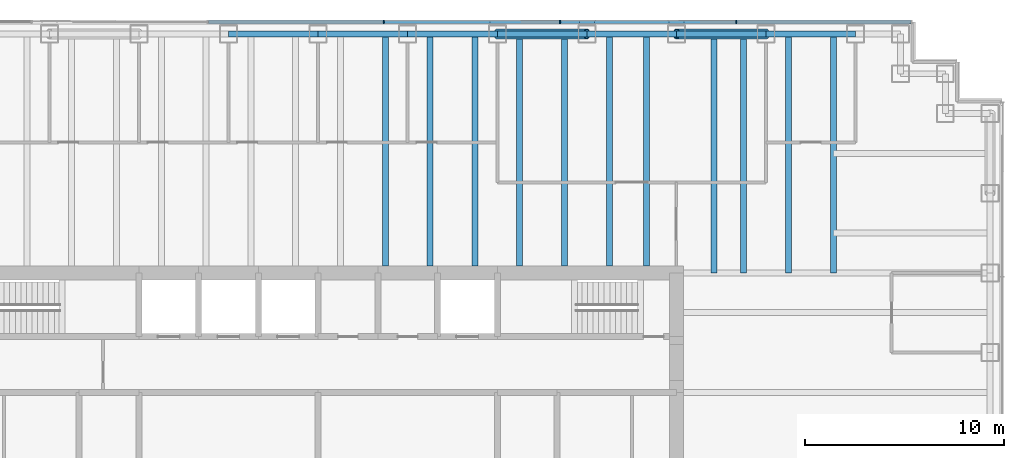
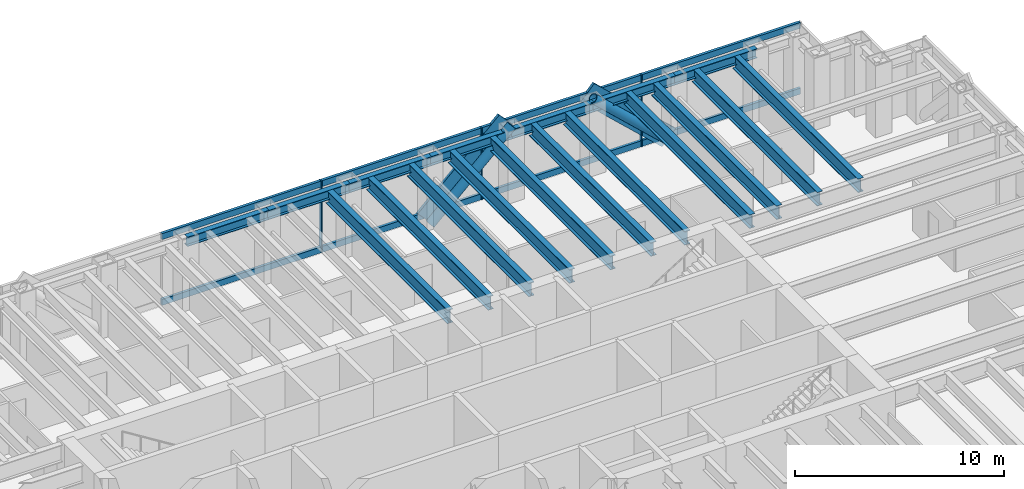
# One storey, part 7 of 15: 18 beams, 15 members, 1 element without a shape of its own.
"""IFC4 building model written with IfcOpenShell, lengths in metres."""

from ifc_helpers import new_model, si_unit, direction, frame, origin, origin_2d, place, context, subcontext, project, spatial, rectangle, hollow_circle, i_section, extrude, material, material_profile, profile_set, type_object, element, aggregate, save


model = new_model("IFC4")

# Units and contexts
model_context = context("Model", 3, precision=1e-05, world=origin(), true_north=direction((0.0, 1.0)))
body_context = subcontext(model_context, "Body", "Model", "MODEL_VIEW")
ifc_project = project(units=[si_unit("LENGTHUNIT", "METRE"), si_unit("AREAUNIT", "SQUARE_METRE"), si_unit("VOLUMEUNIT", "CUBIC_METRE"), si_unit("PLANEANGLEUNIT", "RADIAN"), si_unit("MASSUNIT", "GRAM", prefix="KILO")], contexts=[model_context])

# Site, building, storey
site_placement = place(None, origin())
site = spatial("IfcSite", under=ifc_project, at=site_placement, CompositionType="ELEMENT")
building_placement = place(site_placement, origin())
building = spatial("IfcBuilding", under=site, at=building_placement, Name="Rheinbord Bourse Tower", CompositionType="ELEMENT")
storey_placement = place(building_placement, frame((0.0, 0.0, 313.10009765625)))
storey = spatial("IfcBuildingStorey", under=building, at=storey_placement, Name="L71", CompositionType="ELEMENT", Elevation=313.10009765625)

# Curtain wall, members
ifc_material_1 = material(Name="Dark glass and black aluminium", Category="aluminium")
curtain_wall_type = type_object("IfcCurtainWallType", Name="CW3 DARK GLASS CURTAIN WALL", PredefinedType="USERDEFINED", material=ifc_material_1)
curtain_wall_placement = place(storey_placement, origin())
curtain_wall = element("IfcCurtainWall", 1, at=curtain_wall_placement, inside=storey, type_object=curtain_wall_type, Name="Curtain wall CW3 N L71", ObjectType="UNITISED CURTAIN WALL", PredefinedType="USERDEFINED")
ifc_material_2 = material(Name="Black anodised aluminium", Category="aluminium")
ifc_material_profile_1 = material_profile(ifc_material_2, rectangle(XDim=0.14990234375, YDim=1.10791015625, at=origin_2d()), Name="CW3 DIAGONAL MULLION 1108x150")
ifc_profile_set_1 = profile_set([ifc_material_profile_1], Name="Black anodised aluminium")
member_type_1 = type_object("IfcMemberType", Name="CW3 BLACK DIAGONAL MULLION", PredefinedType="USERDEFINED", material=ifc_profile_set_1)
member_1_placement = place(storey_placement, frame((58.5, 44.60009765625, 0.0), z_axis=(-0.73105922506, 0.0, 0.682314010889), x_axis=(0.0, -1.0, 0.0)))
member_1 = element("IfcMember", 2, at=member_1_placement, type_object=member_type_1, Name="CW3 diagonal mullion a", ObjectType="DIAGONAL MULLION", PredefinedType="USERDEFINED", context=body_context, shape_type="SweptSolid", body=[
    extrude(rectangle(XDim=0.14990234375, YDim=1.10791015625, at=origin_2d()), origin(), (0.0, 0.0, 1.0), 6.155517578125),
])
member_2_placement = place(storey_placement, frame((45.0, 44.60009765625, 0.0), z_axis=(0.73105922506, 0.0, 0.682314010889), x_axis=(0.0, 1.0, 0.0)))
member_2 = element("IfcMember", 3, at=member_2_placement, type_object=member_type_1, Name="CW3 diagonal mullion d", ObjectType="DIAGONAL MULLION", PredefinedType="USERDEFINED", context=body_context, shape_type="SweptSolid", body=[
    extrude(rectangle(XDim=0.14990234375, YDim=1.10791015625, at=origin_2d()), origin(), (0.0, 0.0, 1.0), 6.155517578125),
])
ifc_material_3 = material(Name="Black anodised aluminium", Category="aluminium")
ifc_material_profile_2 = material_profile(ifc_material_3, rectangle(XDim=0.199951171875, YDim=0.06494140625, at=origin_2d()), Name="CW3 MULLION 65x200")
ifc_profile_set_2 = profile_set([ifc_material_profile_2], Name="Black anodised aluminium")
member_type_2 = type_object("IfcMemberType", Name="CW3 BLACK MULLION", PredefinedType="MULLION", material=ifc_profile_set_2)
member_3_placement = place(storey_placement, frame((57.0, 44.60009765625, 0.0), z_axis=(0.0, 0.0, 1.0), x_axis=(0.0, -1.0, 0.0)))
member_3 = element("IfcMember", 4, at=member_3_placement, type_object=member_type_2, Name="CW3 mullion 2", PredefinedType="MULLION", context=body_context, shape_type="SweptSolid", body=[
    extrude(rectangle(XDim=0.199951171875, YDim=0.06494140625, at=origin_2d()), origin(), (0.0, 0.0, 1.0), 4.199951171875),
])
member_4_placement = place(storey_placement, frame((48.14990234375, 44.60009765625, 0.0), z_axis=(0.0, 0.0, 1.0), x_axis=(0.0, -1.0, 0.0)))
member_4 = element("IfcMember", 5, at=member_4_placement, type_object=member_type_2, Name="CW3 mullion 3", PredefinedType="MULLION", context=body_context, shape_type="SweptSolid", body=[
    extrude(rectangle(XDim=0.199951171875, YDim=0.06494140625, at=origin_2d()), origin(), (0.0, 0.0, 1.0), 4.199951171875),
])
member_5_placement = place(storey_placement, frame((39.300048828125, 44.60009765625, 0.0), z_axis=(0.0, 0.0, 1.0), x_axis=(0.0, -1.0, 0.0)))
member_5 = element("IfcMember", 6, at=member_5_placement, type_object=member_type_2, Name="CW3 mullion 4", PredefinedType="MULLION", context=body_context, shape_type="SweptSolid", body=[
    extrude(rectangle(XDim=0.199951171875, YDim=0.06494140625, at=origin_2d()), origin(), (0.0, 0.0, 1.0), 4.199951171875),
])
ifc_material_4 = material(Name="Black anodised aluminium", Category="aluminium")
ifc_material_profile_3 = material_profile(ifc_material_4, rectangle(XDim=0.14990234375, YDim=0.35009765625, at=origin_2d()), Name="CW3 TRANSOM 350x150")
ifc_profile_set_3 = profile_set([ifc_material_profile_3], Name="Black anodised aluminium")
member_type_3 = type_object("IfcMemberType", Name="CW3 BLACK TRANSOM", PredefinedType="USERDEFINED", material=ifc_profile_set_3)
member_6_placement = place(storey_placement, frame((65.784912109375, 44.60009765625, 0.1748046875), z_axis=(-1.0, 0.0, 0.0), x_axis=(0.0, -1.0, 0.0)))
member_6 = element("IfcMember", 7, at=member_6_placement, type_object=member_type_3, Name="CW3 transom 1.1", ObjectType="TRANSOM", PredefinedType="USERDEFINED", context=body_context, shape_type="SweptSolid", body=[
    extrude(rectangle(XDim=0.14990234375, YDim=0.35009765625, at=origin_2d()), origin(), (0.0, 0.0, 1.0), 8.75244140625),
])
member_7_placement = place(storey_placement, frame((65.784912109375, 44.60009765625, 4.02490234375), z_axis=(-1.0, 0.0, 0.0), x_axis=(0.0, -1.0, 0.0)))
member_7 = element("IfcMember", 8, at=member_7_placement, type_object=member_type_3, Name="CW3 transom 1.2", ObjectType="TRANSOM", PredefinedType="USERDEFINED", context=body_context, shape_type="SweptSolid", body=[
    extrude(rectangle(XDim=0.14990234375, YDim=0.35009765625, at=origin_2d()), origin(), (0.0, 0.0, 1.0), 8.75244140625),
])
member_8_placement = place(storey_placement, frame((56.967529296875, 44.60009765625, 0.1748046875), z_axis=(-1.0, 0.0, 0.0), x_axis=(0.0, -1.0, 0.0)))
member_8 = element("IfcMember", 9, at=member_8_placement, type_object=member_type_3, Name="CW3 transom 2.1", ObjectType="TRANSOM", PredefinedType="USERDEFINED", context=body_context, shape_type="SweptSolid", body=[
    extrude(rectangle(XDim=0.14990234375, YDim=0.35009765625, at=origin_2d()), origin(), (0.0, 0.0, 1.0), 8.784912109375),
])
member_9_placement = place(storey_placement, frame((56.967529296875, 44.60009765625, 4.02490234375), z_axis=(-1.0, 0.0, 0.0), x_axis=(0.0, -1.0, 0.0)))
member_9 = element("IfcMember", 10, at=member_9_placement, type_object=member_type_3, Name="CW3 transom 2.2", ObjectType="TRANSOM", PredefinedType="USERDEFINED", context=body_context, shape_type="SweptSolid", body=[
    extrude(rectangle(XDim=0.14990234375, YDim=0.35009765625, at=origin_2d()), origin(), (0.0, 0.0, 1.0), 8.784912109375),
])
member_10_placement = place(storey_placement, frame((48.117431640625, 44.60009765625, 0.1748046875), z_axis=(-1.0, 0.0, 0.0), x_axis=(0.0, -1.0, 0.0)))
member_10 = element("IfcMember", 11, at=member_10_placement, type_object=member_type_3, Name="CW3 transom 3.1", ObjectType="TRANSOM", PredefinedType="USERDEFINED", context=body_context, shape_type="SweptSolid", body=[
    extrude(rectangle(XDim=0.14990234375, YDim=0.35009765625, at=origin_2d()), origin(), (0.0, 0.0, 1.0), 8.784912109375),
])
member_11_placement = place(storey_placement, frame((48.117431640625, 44.60009765625, 4.02490234375), z_axis=(-1.0, 0.0, 0.0), x_axis=(0.0, -1.0, 0.0)))
member_11 = element("IfcMember", 12, at=member_11_placement, type_object=member_type_3, Name="CW3 transom 3.2", ObjectType="TRANSOM", PredefinedType="USERDEFINED", context=body_context, shape_type="SweptSolid", body=[
    extrude(rectangle(XDim=0.14990234375, YDim=0.35009765625, at=origin_2d()), origin(), (0.0, 0.0, 1.0), 8.784912109375),
])
member_12_placement = place(storey_placement, frame((39.267578125, 44.60009765625, 0.1748046875), z_axis=(-1.0, 0.0, 0.0), x_axis=(0.0, -1.0, 0.0)))
member_12 = element("IfcMember", 13, at=member_12_placement, type_object=member_type_3, Name="CW3 transom 4.1", ObjectType="TRANSOM", PredefinedType="USERDEFINED", context=body_context, shape_type="SweptSolid", body=[
    extrude(rectangle(XDim=0.14990234375, YDim=0.35009765625, at=origin_2d()), origin(), (0.0, 0.0, 1.0), 8.78515625),
])
member_13_placement = place(storey_placement, frame((39.267578125, 44.60009765625, 4.02490234375), z_axis=(-1.0, 0.0, 0.0), x_axis=(0.0, -1.0, 0.0)))
member_13 = element("IfcMember", 14, at=member_13_placement, type_object=member_type_3, Name="CW3 transom 4.2", ObjectType="TRANSOM", PredefinedType="USERDEFINED", context=body_context, shape_type="SweptSolid", body=[
    extrude(rectangle(XDim=0.14990234375, YDim=0.35009765625, at=origin_2d()), origin(), (0.0, 0.0, 1.0), 8.78515625),
])
aggregate(curtain_wall, [member_3, member_4, member_5, member_6, member_7, member_8, member_9, member_10, member_11, member_12, member_13, member_1, member_2])

# Beams
ifc_material_5 = material(Name="Steel S460", Category="steel")
ifc_material_profile_4 = material_profile(ifc_material_5, i_section(OverallWidth=0.300048828125, OverallDepth=0.800048828125, WebThickness=0.017578125, FlangeThickness=0.032958984375, at=origin_2d()), Name="HEB 800")
ifc_profile_set_4 = profile_set([ifc_material_profile_4], Name="Steel S460")
beam_type_1 = type_object("IfcBeamType", Name="FLOOR BEAM HEB 800", PredefinedType="BEAM", material=ifc_profile_set_4)
for number, where, z_axis, x_axis, name in (
    (15, (39.375, 44.0, 3.639892578125), (0.0, -1.0, 0.0), (1.0, 0.0, 0.0), "Floor beam N-36b L72"),
    (16, (41.625, 44.0, 3.639892578125), (0.0, -1.0, 0.0), (1.0, 0.0, 0.0), "Floor beam N-40.5a L72"),
    (17, (43.875, 44.0, 3.639892578125), (0.0, -1.0, 0.0), (1.0, 0.0, 0.0), "Floor beam N-40.5b L72"),
    (18, (46.125, 44.0, 3.639892578125), (0.0, -1.0, 0.0), (1.0, 0.0, 0.0), "Floor beam N-45a L72"),
    (19, (48.375, 44.0, 3.639892578125), (0.0, -1.0, 0.0), (1.0, 0.0, 0.0), "Floor beam N-45b L72"),
    (20, (50.625, 44.0, 3.639892578125), (0.0, -1.0, 0.0), (1.0, 0.0, 0.0), "Floor beam N-49.5a L72"),
    (21, (52.5, 44.0, 3.639892578125), (0.0, -1.0, 0.0), (1.0, 0.0, 0.0), "Floor beam N-49.5b L72"),
):
    element("IfcBeam", number, at=place(storey_placement, frame(where, z_axis=z_axis, x_axis=x_axis)), inside=storey, type_object=beam_type_1, Name=name, PredefinedType="BEAM", context=body_context, shape_type="SweptSolid", body=[
        extrude(i_section(OverallWidth=0.300048828125, OverallDepth=0.800048828125, WebThickness=0.017578125, FlangeThickness=0.032958984375, at=origin_2d()), origin(), (0.0, 0.0, 1.0), 11.64990234375),
    ])
for number, where, z_axis, x_axis, name in (
    (22, (55.875, 44.0, 3.639892578125), (0.0, -1.0, 0.0), (1.0, 0.0, 0.0), "Floor beam N-54a L72"),
    (23, (57.375, 44.0, 3.639892578125), (0.0, -1.0, 0.0), (1.0, 0.0, 0.0), "Floor beam N-54b L72"),
    (24, (59.625, 44.0, 3.639892578125), (0.0, -1.0, 0.0), (1.0, 0.0, 0.0), "Floor beam N-58.5a L72"),
    (25, (61.875, 44.0, 3.639892578125), (0.0, -1.0, 0.0), (1.0, 0.0, 0.0), "Floor beam N-58.5b L72"),
):
    element("IfcBeam", number, at=place(storey_placement, frame(where, z_axis=z_axis, x_axis=x_axis)), inside=storey, type_object=beam_type_1, Name=name, PredefinedType="BEAM", context=body_context, shape_type="SweptSolid", body=[
        extrude(i_section(OverallWidth=0.300048828125, OverallDepth=0.800048828125, WebThickness=0.017578125, FlangeThickness=0.032958984375, at=origin_2d()), origin(), (0.0, 0.0, 1.0), 12.0),
    ])

# Members
ifc_material_6 = material(Name="Steel S460", Category="steel")
ifc_material_profile_5 = material_profile(ifc_material_6, hollow_circle(Radius=0.25390625, WallThickness=0.030029296875, at=origin_2d()), Name="CHS 508x30")
ifc_profile_set_5 = profile_set([ifc_material_profile_5], Name="Steel S460")
member_type_4 = type_object("IfcMemberType", Name="MEGABRACE CHS 508x30", PredefinedType="BRACE", material=ifc_profile_set_5)
for number, where, z_axis, x_axis, name in (
    (26, (58.5, 44.0, 0.0), (-0.73105922506, 0.0, 0.682314010889), (0.0, -1.0, 0.0), "Megabrace N face line a L71"),
    (27, (45.0, 44.0, 0.0), (0.73105922506, 0.0, 0.682314010889), (0.0, 1.0, 0.0), "Megabrace N face line d L71"),
):
    element("IfcMember", number, at=place(storey_placement, frame(where, z_axis=z_axis, x_axis=x_axis)), inside=storey, type_object=member_type_4, Name=name, PredefinedType="BRACE", context=body_context, shape_type="SweptSolid", body=[
        extrude(hollow_circle(Radius=0.25390625, WallThickness=0.030029296875, at=origin_2d()), origin(), (0.0, 0.0, 1.0), 6.155517578125),
    ])

# Beams
ifc_material_7 = material(Name="Steel S460", Category="steel")
ifc_material_profile_6 = material_profile(ifc_material_7, i_section(OverallWidth=0.300048828125, OverallDepth=0.550048828125, WebThickness=0.014892578125, FlangeThickness=0.029052734375, at=origin_2d()), Name="HEB 550")
ifc_profile_set_6 = profile_set([ifc_material_profile_6], Name="Steel S460")
beam_type_2 = type_object("IfcBeamType", Name="SPANDREL HEB 550", PredefinedType="SPANDREL", material=ifc_profile_set_6)
for number, where, z_axis, x_axis, name in (
    (28, (63.0, 44.0, 3.764892578125), (-1.0, 0.0, 0.0), (0.0, -1.0, 0.0), "Spandrel N-63-N-58.5 under L72"),
    (29, (58.5, 44.0, 3.764892578125), (-1.0, 0.0, 0.0), (0.0, -1.0, 0.0), "Spandrel N-58.5-N-54 under L72"),
    (30, (54.0, 44.0, 3.764892578125), (-1.0, 0.0, 0.0), (0.0, -1.0, 0.0), "Spandrel N-54-N-49.5 under L72"),
    (31, (49.5, 44.0, 3.764892578125), (-1.0, 0.0, 0.0), (0.0, -1.0, 0.0), "Spandrel N-49.5-N-45 under L72"),
    (32, (45.0, 44.0, 3.764892578125), (-1.0, 0.0, 0.0), (0.0, -1.0, 0.0), "Spandrel N-45-N-40.5 under L72"),
    (33, (40.5, 44.0, 3.764892578125), (-1.0, 0.0, 0.0), (0.0, -1.0, 0.0), "Spandrel N-40.5-N-36 under L72"),
    (34, (36.0, 44.0, 3.764892578125), (-1.0, 0.0, 0.0), (0.0, -1.0, 0.0), "Spandrel N-36-N-31.5 under L72"),
):
    element("IfcBeam", number, at=place(storey_placement, frame(where, z_axis=z_axis, x_axis=x_axis)), inside=storey, type_object=beam_type_2, Name=name, PredefinedType="SPANDREL", context=body_context, shape_type="SweptSolid", body=[
        extrude(i_section(OverallWidth=0.300048828125, OverallDepth=0.550048828125, WebThickness=0.014892578125, FlangeThickness=0.029052734375, at=origin_2d()), origin(), (0.0, 0.0, 1.0), 4.5),
    ])

save(model, "model.ifc")
